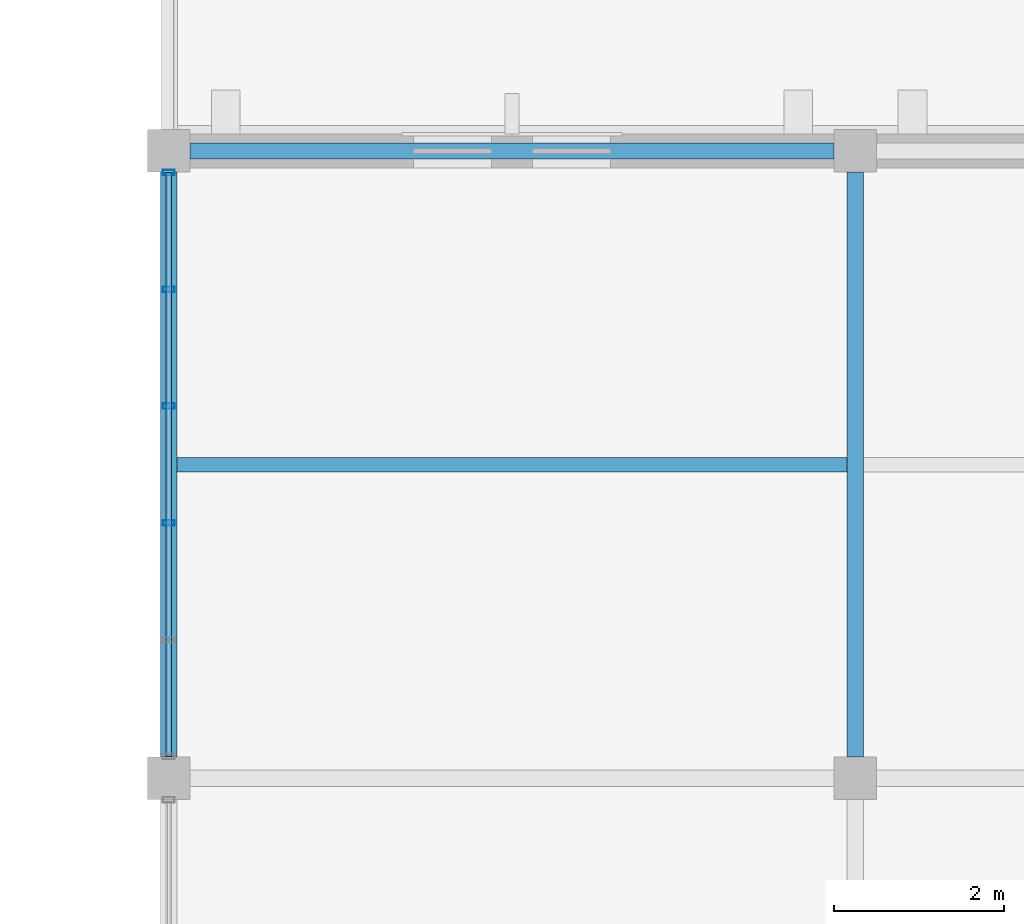
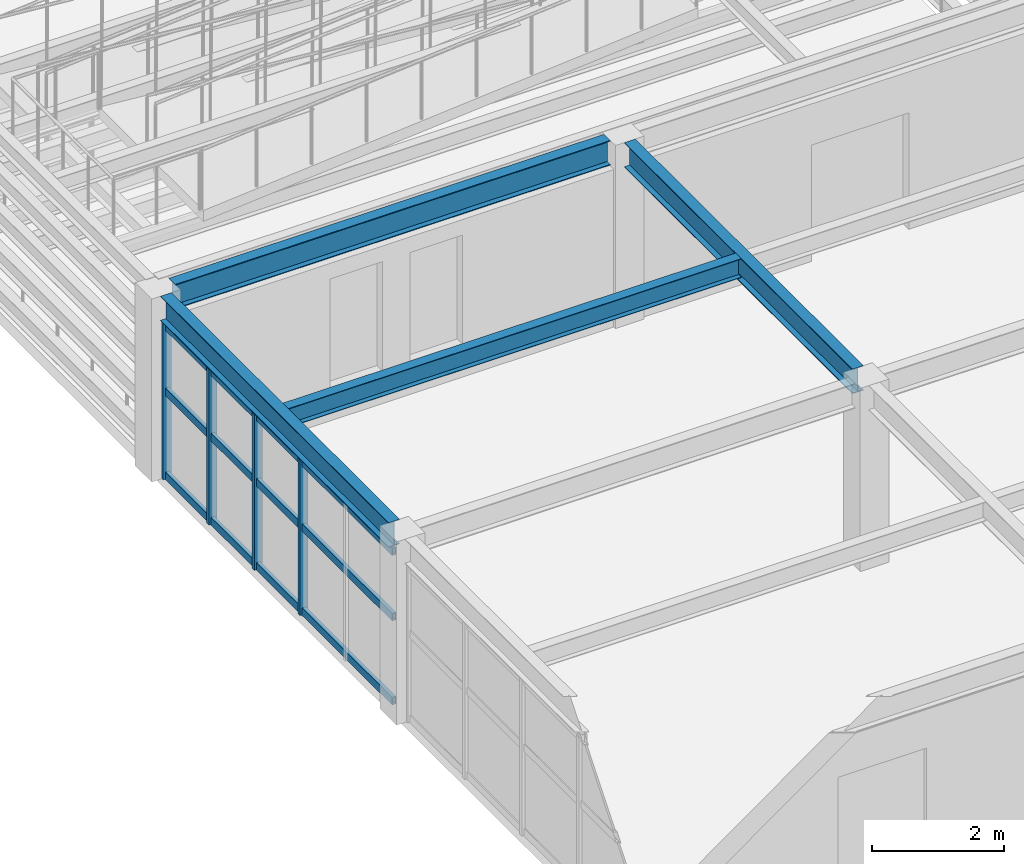
# One storey, part 54 of 93: 7 members, 4 beams, 1 element without a shape of its own.
"""IFC4 building model written with IfcOpenShell, lengths in metres."""

from ifc_helpers import new_model, si_unit, direction, frame, origin, origin_2d, place, context, subcontext, project, spatial, hollow_rectangle, i_section, extrude, material, material_profile, profile_set, type_object, element, aggregate, save


model = new_model("IFC4")

# Units and contexts
model_context = context("Model", 3, precision=1e-05, world=origin(), true_north=direction((0.0, 1.0)))
body_context = subcontext(model_context, "Body", "Model", "MODEL_VIEW")
ifc_project = project(units=[si_unit("LENGTHUNIT", "METRE"), si_unit("AREAUNIT", "SQUARE_METRE"), si_unit("VOLUMEUNIT", "CUBIC_METRE"), si_unit("PLANEANGLEUNIT", "RADIAN"), si_unit("MASSUNIT", "GRAM", prefix="KILO")], contexts=[model_context])

# Site, building, storey
site_placement = place(None, origin())
site = spatial("IfcSite", under=ifc_project, at=site_placement, CompositionType="ELEMENT")
building_placement = place(site_placement, origin())
building = spatial("IfcBuilding", under=site, at=building_placement, Name="Cimatlan Art Gallery", CompositionType="ELEMENT")
storey_placement = place(building_placement, frame((0.0, 0.0, 13.800048828125)))
storey = spatial("IfcBuildingStorey", under=building, at=storey_placement, Name="L03", CompositionType="ELEMENT", Elevation=13.800048828125)

# Beams
ifc_material_1 = material(Name="Steel ASTM A992 Grade 50", Category="steel")
ifc_material_profile_1 = material_profile(ifc_material_1, i_section(OverallWidth=0.1708984375, OverallDepth=0.35107421875, WebThickness=0.0068359375, FlangeThickness=0.009765625, at=origin_2d()), Name="W14X30")
ifc_profile_set_1 = profile_set([ifc_material_profile_1], Name="Steel ASTM A992 Grade 50")
beam_type_1 = type_object("IfcBeamType", Name="BM-STL-W14X30", PredefinedType="JOIST", material=ifc_profile_set_1)
beam_1_placement = place(storey_placement, frame((115.49560546875, 64.60009765625, 3.204345703125), z_axis=(1.0, 0.0, 0.0), x_axis=(0.0, 1.0, 0.0)))
element("IfcBeam", 1, at=beam_1_placement, inside=storey, type_object=beam_type_1, Name="JST-L03-14-08", PredefinedType="JOIST", context=body_context, shape_type="SweptSolid", body=[
    extrude(i_section(OverallWidth=0.1708984375, OverallDepth=0.35107421875, WebThickness=0.0068359375, FlangeThickness=0.009765625, at=origin_2d()), origin(), (0.0, 0.0, 1.0), 7.908935546875),
])
ifc_material_profile_2 = material_profile(ifc_material_1, i_section(OverallWidth=0.19091796875, OverallDepth=0.45703125, WebThickness=0.009033203125, FlangeThickness=0.014404296875, at=origin_2d()), Name="W18X50")
ifc_profile_set_2 = profile_set([ifc_material_profile_2], Name="Steel ASTM A992 Grade 50")
beam_type_2 = type_object("IfcBeamType", Name="BM-STL-W18X50", PredefinedType="BEAM", material=ifc_profile_set_2)
for number, where, z_axis, x_axis, name in (
    (2, (115.39990234375, 61.14990234375, 3.1513671875), (0.0, 1.0, 0.0), (-1.0, 0.0, 0.0), "BM-Y-L03-14-08"),
    (3, (123.5, 61.14990234375, 3.1513671875), (0.0, 1.0, 0.0), (-1.0, 0.0, 0.0), "BM-Y-L03-15-08"),
):
    element("IfcBeam", number, at=place(storey_placement, frame(where, z_axis=z_axis, x_axis=x_axis)), inside=storey, type_object=beam_type_2, Name=name, PredefinedType="BEAM", context=body_context, shape_type="SweptSolid", body=[
        extrude(i_section(OverallWidth=0.19091796875, OverallDepth=0.45703125, WebThickness=0.009033203125, FlangeThickness=0.014404296875, at=origin_2d()), origin(), (0.0, 0.0, 1.0), 6.900146484375),
    ])
beam_2_placement = place(storey_placement, frame((115.64990234375, 68.300048828125, 3.1513671875), z_axis=(1.0, 0.0, 0.0), x_axis=(0.0, 1.0, 0.0)))
element("IfcBeam", 4, at=beam_2_placement, inside=storey, type_object=beam_type_2, Name="BM-X-L03-14-09", PredefinedType="BEAM", context=body_context, shape_type="SweptSolid", body=[
    extrude(i_section(OverallWidth=0.19091796875, OverallDepth=0.45703125, WebThickness=0.009033203125, FlangeThickness=0.014404296875, at=origin_2d()), origin(), (0.0, 0.0, 1.0), 7.60009765625),
])

# Curtain wall, members
ifc_material_2 = material(Name="Anodised bronze unitised curtain wall")
curtain_wall_type = type_object("IfcCurtainWallType", Name="CW-V-06892X02878-B5", PredefinedType="NOTDEFINED", material=ifc_material_2)
curtain_wall_placement = place(storey_placement, origin())
curtain_wall = element("IfcCurtainWall", 5, at=curtain_wall_placement, inside=storey, type_object=curtain_wall_type, Name="CW-L03-14-08-W", PredefinedType="NOTDEFINED")
ifc_material_3 = material(Name="Anodised bronze aluminium 6063-T6", Category="aluminium")
ifc_material_profile_3 = material_profile(ifc_material_3, hollow_rectangle(XDim=0.06494140625, YDim=0.139892578125, WallThickness=0.00390625, at=origin_2d()), Name="ALU65X140X4")
ifc_profile_set_3 = profile_set([ifc_material_profile_3], Name="Anodised bronze aluminium 6063-T6")
member_type_1 = type_object("IfcMemberType", Name="CW-MUL-140", PredefinedType="MULLION", material=ifc_profile_set_3)
member_1_placement = place(storey_placement, frame((115.39990234375, 63.910888671875, 0.0), z_axis=(0.0, 0.0, 1.0), x_axis=(0.0, 1.0, 0.0)))
member_1 = element("IfcMember", 6, at=member_1_placement, type_object=member_type_1, Name="CW-L03-14-08-W-M3", PredefinedType="MULLION", context=body_context, shape_type="SweptSolid", body=[
    extrude(hollow_rectangle(XDim=0.06494140625, YDim=0.139892578125, WallThickness=0.00390625, at=origin_2d()), origin(), (0.0, 0.0, 1.0), 2.8779296875),
])
member_2_placement = place(storey_placement, frame((115.39990234375, 65.289306640625, 0.0), z_axis=(0.0, 0.0, 1.0), x_axis=(0.0, 1.0, 0.0)))
member_2 = element("IfcMember", 7, at=member_2_placement, type_object=member_type_1, Name="CW-L03-14-08-W-M4", PredefinedType="MULLION", context=body_context, shape_type="SweptSolid", body=[
    extrude(hollow_rectangle(XDim=0.06494140625, YDim=0.139892578125, WallThickness=0.00390625, at=origin_2d()), origin(), (0.0, 0.0, 1.0), 2.8779296875),
])
member_3_placement = place(storey_placement, frame((115.39990234375, 66.66748046875, 0.0), z_axis=(0.0, 0.0, 1.0), x_axis=(0.0, 1.0, 0.0)))
member_3 = element("IfcMember", 8, at=member_3_placement, type_object=member_type_1, Name="CW-L03-14-08-W-M5", PredefinedType="MULLION", context=body_context, shape_type="SweptSolid", body=[
    extrude(hollow_rectangle(XDim=0.06494140625, YDim=0.139892578125, WallThickness=0.00390625, at=origin_2d()), origin(), (0.0, 0.0, 1.0), 2.8779296875),
])
member_4_placement = place(storey_placement, frame((115.39990234375, 68.0458984375, 0.0), z_axis=(0.0, 0.0, 1.0), x_axis=(0.0, 1.0, 0.0)))
member_4 = element("IfcMember", 9, at=member_4_placement, type_object=member_type_1, Name="CW-L03-14-08-W-M6", PredefinedType="MULLION", context=body_context, shape_type="SweptSolid", body=[
    extrude(hollow_rectangle(XDim=0.06494140625, YDim=0.139892578125, WallThickness=0.00390625, at=origin_2d()), origin(), (0.0, 0.0, 1.0), 2.8779296875),
])
ifc_material_profile_4 = material_profile(ifc_material_3, hollow_rectangle(XDim=0.06494140625, YDim=0.139892578125, WallThickness=0.00390625, at=origin_2d()), Name="ALU65X140X4")
ifc_profile_set_4 = profile_set([ifc_material_profile_4], Name="Anodised bronze aluminium 6063-T6")
member_type_2 = type_object("IfcMemberType", Name="CW-TRN-140", PredefinedType="USERDEFINED", material=ifc_profile_set_4)
member_5_placement = place(storey_placement, frame((115.39990234375, 61.154052734375, 0.06005859375), z_axis=(0.0, 1.0, 0.0), x_axis=(-1.0, 0.0, 0.0)))
member_5 = element("IfcMember", 10, at=member_5_placement, type_object=member_type_2, Name="CW-L03-14-08-W-T1", ObjectType="TRANSOM", PredefinedType="USERDEFINED", context=body_context, shape_type="SweptSolid", body=[
    extrude(hollow_rectangle(XDim=0.06494140625, YDim=0.139892578125, WallThickness=0.00390625, at=origin_2d()), origin(), (0.0, 0.0, 1.0), 6.891845703125),
])
member_6_placement = place(storey_placement, frame((115.39990234375, 61.154052734375, 1.611572265625), z_axis=(0.0, 1.0, 0.0), x_axis=(-1.0, 0.0, 0.0)))
member_6 = element("IfcMember", 11, at=member_6_placement, type_object=member_type_2, Name="CW-L03-14-08-W-T2", ObjectType="TRANSOM", PredefinedType="USERDEFINED", context=body_context, shape_type="SweptSolid", body=[
    extrude(hollow_rectangle(XDim=0.06494140625, YDim=0.139892578125, WallThickness=0.00390625, at=origin_2d()), origin(), (0.0, 0.0, 1.0), 6.891845703125),
])
member_7_placement = place(storey_placement, frame((115.39990234375, 61.154052734375, 2.81787109375), z_axis=(0.0, 1.0, 0.0), x_axis=(-1.0, 0.0, 0.0)))
member_7 = element("IfcMember", 12, at=member_7_placement, type_object=member_type_2, Name="CW-L03-14-08-W-T3", ObjectType="TRANSOM", PredefinedType="USERDEFINED", context=body_context, shape_type="SweptSolid", body=[
    extrude(hollow_rectangle(XDim=0.06494140625, YDim=0.139892578125, WallThickness=0.00390625, at=origin_2d()), origin(), (0.0, 0.0, 1.0), 6.891845703125),
])
aggregate(curtain_wall, [member_1, member_2, member_3, member_4, member_5, member_6, member_7])

save(model, "model.ifc")
